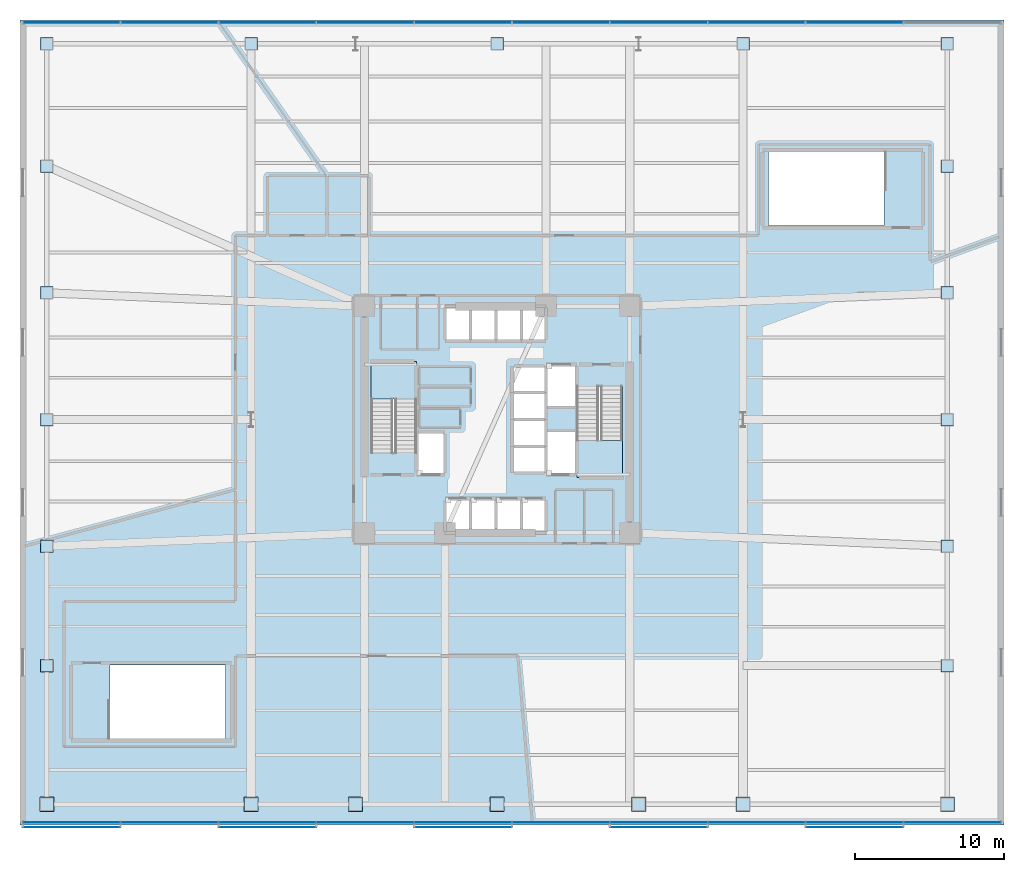
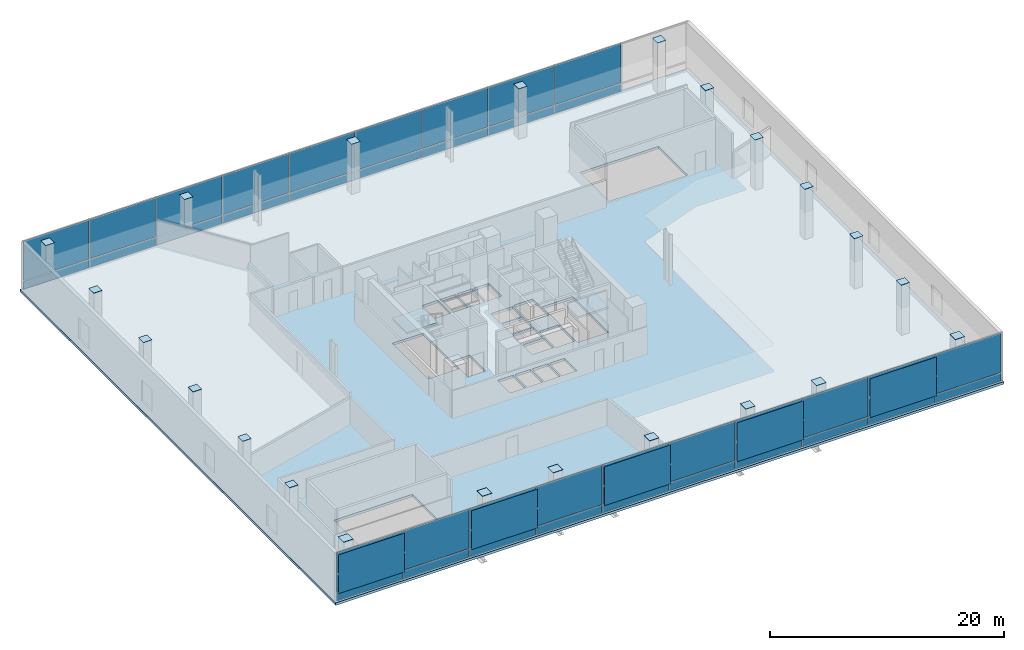
# One storey, part 10 of 19: 65 plates, 3 slabs, 4 elements without a shape of their own.
"""IFC4 building model written with IfcOpenShell, lengths in metres."""

from ifc_helpers import new_model, si_unit, direction, frame, origin, origin_2d, place, context, subcontext, project, spatial, polyline, rectangle, outline, extrude, material, layer, layer_set, type_object, element, aggregate, save


model = new_model("IFC4")

# Units and contexts
model_context = context("Model", 3, precision=1e-05, world=origin(), true_north=direction((0.0, 1.0)))
body_context = subcontext(model_context, "Body", "Model", "MODEL_VIEW")
ifc_project = project(units=[si_unit("LENGTHUNIT", "METRE"), si_unit("AREAUNIT", "SQUARE_METRE"), si_unit("VOLUMEUNIT", "CUBIC_METRE"), si_unit("PLANEANGLEUNIT", "RADIAN"), si_unit("MASSUNIT", "GRAM", prefix="KILO")], contexts=[model_context])

# Site, building, storey
site_placement = place(None, origin())
site = spatial("IfcSite", under=ifc_project, at=site_placement, CompositionType="ELEMENT")
building_placement = place(site_placement, origin())
building = spatial("IfcBuilding", under=site, at=building_placement, Name="Tharavind Bronze Gate", CompositionType="ELEMENT")
storey_placement = place(building_placement, frame((0.0, 0.0, 26.5)))
storey = spatial("IfcBuildingStorey", under=building, at=storey_placement, Name="L05", CompositionType="ELEMENT", Elevation=26.5)

# Plates
ifc_material_1 = material(Name="Perforated Bronze Alloy", Category="bronze")
ifc_layer_1 = layer(ifc_material_1, 0.011962890625)
ifc_layer_set_1 = layer_set([ifc_layer_1], Name="Perforated Bronze Alloy")
plate_type_1 = type_object("IfcPlateType", Name="BRONZE PERFORATED SOLAR SCREEN", PredefinedType="USERDEFINED", material=ifc_layer_set_1)
for number, where, z_axis, x_axis, name in (
    (1, (-28.5380859375, -27.3349609375, 0.97412109375), (0.0, 0.0, 1.0), (1.0, 0.0, 0.0), "CW-L05-S1 perforated bronze solar screen 1"),
    (2, (-15.409912109375, -27.3349609375, 0.97412109375), (0.0, 0.0, 1.0), (1.0, 0.0, 0.0), "CW-L05-S1 perforated bronze solar screen 3"),
    (3, (-2.281982421875, -27.3349609375, 0.97412109375), (0.0, 0.0, 1.0), (1.0, 0.0, 0.0), "CW-L05-S1 perforated bronze solar screen 5"),
    (4, (10.845947265625, -27.3349609375, 0.97412109375), (0.0, 0.0, 1.0), (1.0, 0.0, 0.0), "CW-L05-S1 perforated bronze solar screen 7"),
    (5, (23.97412109375, -27.3349609375, 0.97412109375), (0.0, 0.0, 1.0), (1.0, 0.0, 0.0), "CW-L05-S1 perforated bronze solar screen 9"),
):
    element("IfcPlate", number, at=place(storey_placement, frame(where, z_axis=z_axis, x_axis=x_axis)), inside=storey, type_object=plate_type_1, Name=name, ObjectType="SCREEN", PredefinedType="USERDEFINED", context=body_context, shape_type="SweptSolid", body=[
        extrude(rectangle(XDim=6.5439453125, YDim=0.011962890625, at=origin_2d()), origin(), (0.0, 0.0, 1.0), 4.056884765625),
    ])

# Curtain wall, plates
ifc_material_2 = material(Name="Anodised Bronze Aluminium", Category="aluminium")
ifc_layer_2 = layer(ifc_material_2, 0.219970703125)
ifc_layer_set_2 = layer_set([ifc_layer_2], Name="Anodised Bronze Aluminium")
curtain_wall_type = type_object("IfcCurtainWallType", Name="UNITISED CURTAIN WALL PODIUM", PredefinedType="USERDEFINED", material=ifc_layer_set_2)
curtain_wall_1_placement = place(storey_placement, origin())
curtain_wall_1 = element("IfcCurtainWall", 6, at=curtain_wall_1_placement, inside=storey, type_object=curtain_wall_type, Name="L05 unitised curtain wall podium CW-L05-S1", ObjectType="UNITISED CURTAIN WALL", PredefinedType="USERDEFINED")
ifc_material_3 = material(Name="Patinated Bronze Alloy Sheet", Category="bronze")
ifc_layer_3 = layer(ifc_material_3, 0.01611328125)
ifc_layer_set_3 = layer_set([ifc_layer_3], Name="Patinated Bronze Alloy Sheet")
plate_type_2 = type_object("IfcPlateType", Name="BRONZE SPANDREL CLADDING PANEL 16", PredefinedType="CURTAIN_PANEL", material=ifc_layer_set_3)
plate_1_placement = place(storey_placement, frame((-28.5380859375, -27.02001953125, 0.033935546875), z_axis=(0.0, 0.0, 1.0), x_axis=(1.0, 0.0, 0.0)))
plate_1 = element("IfcPlate", 7, at=plate_1_placement, type_object=plate_type_2, Name="CW-L05-S1 bronze spandrel panel 1", PredefinedType="CURTAIN_PANEL", context=body_context, shape_type="SweptSolid", body=[
    extrude(rectangle(XDim=6.49609375, YDim=0.01611328125, at=origin_2d()), origin(), (0.0, 0.0, 1.0), 0.83203125),
])
plate_2_placement = place(storey_placement, frame((-21.97412109375, -27.02001953125, 0.033935546875), z_axis=(0.0, 0.0, 1.0), x_axis=(1.0, 0.0, 0.0)))
plate_2 = element("IfcPlate", 8, at=plate_2_placement, type_object=plate_type_2, Name="CW-L05-S1 bronze spandrel panel 2", PredefinedType="CURTAIN_PANEL", context=body_context, shape_type="SweptSolid", body=[
    extrude(rectangle(XDim=6.49609375, YDim=0.01611328125, at=origin_2d()), origin(), (0.0, 0.0, 1.0), 0.83203125),
])
plate_3_placement = place(storey_placement, frame((-15.409912109375, -27.02001953125, 0.033935546875), z_axis=(0.0, 0.0, 1.0), x_axis=(1.0, 0.0, 0.0)))
plate_3 = element("IfcPlate", 9, at=plate_3_placement, type_object=plate_type_2, Name="CW-L05-S1 bronze spandrel panel 3", PredefinedType="CURTAIN_PANEL", context=body_context, shape_type="SweptSolid", body=[
    extrude(rectangle(XDim=6.49609375, YDim=0.01611328125, at=origin_2d()), origin(), (0.0, 0.0, 1.0), 0.83203125),
])
plate_4_placement = place(storey_placement, frame((-8.845947265625, -27.02001953125, 0.033935546875), z_axis=(0.0, 0.0, 1.0), x_axis=(1.0, 0.0, 0.0)))
plate_4 = element("IfcPlate", 10, at=plate_4_placement, type_object=plate_type_2, Name="CW-L05-S1 bronze spandrel panel 4", PredefinedType="CURTAIN_PANEL", context=body_context, shape_type="SweptSolid", body=[
    extrude(rectangle(XDim=6.49609375, YDim=0.01611328125, at=origin_2d()), origin(), (0.0, 0.0, 1.0), 0.83203125),
])
plate_5_placement = place(storey_placement, frame((-2.281982421875, -27.02001953125, 0.033935546875), z_axis=(0.0, 0.0, 1.0), x_axis=(1.0, 0.0, 0.0)))
plate_5 = element("IfcPlate", 11, at=plate_5_placement, type_object=plate_type_2, Name="CW-L05-S1 bronze spandrel panel 5", PredefinedType="CURTAIN_PANEL", context=body_context, shape_type="SweptSolid", body=[
    extrude(rectangle(XDim=6.49609375, YDim=0.01611328125, at=origin_2d()), origin(), (0.0, 0.0, 1.0), 0.83203125),
])
plate_6_placement = place(storey_placement, frame((4.281982421875, -27.02001953125, 0.033935546875), z_axis=(0.0, 0.0, 1.0), x_axis=(1.0, 0.0, 0.0)))
plate_6 = element("IfcPlate", 12, at=plate_6_placement, type_object=plate_type_2, Name="CW-L05-S1 bronze spandrel panel 6", PredefinedType="CURTAIN_PANEL", context=body_context, shape_type="SweptSolid", body=[
    extrude(rectangle(XDim=6.49609375, YDim=0.01611328125, at=origin_2d()), origin(), (0.0, 0.0, 1.0), 0.83203125),
])
plate_7_placement = place(storey_placement, frame((10.845947265625, -27.02001953125, 0.033935546875), z_axis=(0.0, 0.0, 1.0), x_axis=(1.0, 0.0, 0.0)))
plate_7 = element("IfcPlate", 13, at=plate_7_placement, type_object=plate_type_2, Name="CW-L05-S1 bronze spandrel panel 7", PredefinedType="CURTAIN_PANEL", context=body_context, shape_type="SweptSolid", body=[
    extrude(rectangle(XDim=6.49609375, YDim=0.01611328125, at=origin_2d()), origin(), (0.0, 0.0, 1.0), 0.83203125),
])
plate_8_placement = place(storey_placement, frame((17.409912109375, -27.02001953125, 0.033935546875), z_axis=(0.0, 0.0, 1.0), x_axis=(1.0, 0.0, 0.0)))
plate_8 = element("IfcPlate", 14, at=plate_8_placement, type_object=plate_type_2, Name="CW-L05-S1 bronze spandrel panel 8", PredefinedType="CURTAIN_PANEL", context=body_context, shape_type="SweptSolid", body=[
    extrude(rectangle(XDim=6.49609375, YDim=0.01611328125, at=origin_2d()), origin(), (0.0, 0.0, 1.0), 0.83203125),
])
plate_9_placement = place(storey_placement, frame((23.97412109375, -27.02001953125, 0.033935546875), z_axis=(0.0, 0.0, 1.0), x_axis=(1.0, 0.0, 0.0)))
plate_9 = element("IfcPlate", 15, at=plate_9_placement, type_object=plate_type_2, Name="CW-L05-S1 bronze spandrel panel 9", PredefinedType="CURTAIN_PANEL", context=body_context, shape_type="SweptSolid", body=[
    extrude(rectangle(XDim=6.49609375, YDim=0.01611328125, at=origin_2d()), origin(), (0.0, 0.0, 1.0), 0.83203125),
])
plate_10_placement = place(storey_placement, frame((30.5380859375, -27.02001953125, 0.033935546875), z_axis=(0.0, 0.0, 1.0), x_axis=(1.0, 0.0, 0.0)))
plate_10 = element("IfcPlate", 16, at=plate_10_placement, type_object=plate_type_2, Name="CW-L05-S1 bronze spandrel panel 10", PredefinedType="CURTAIN_PANEL", context=body_context, shape_type="SweptSolid", body=[
    extrude(rectangle(XDim=6.49609375, YDim=0.01611328125, at=origin_2d()), origin(), (0.0, 0.0, 1.0), 0.83203125),
])

curtain_wall_2_placement = place(storey_placement, origin())
curtain_wall_2 = element("IfcCurtainWall", 17, at=curtain_wall_2_placement, inside=storey, type_object=curtain_wall_type, Name="L05 unitised curtain wall podium CW-L05-S2", ObjectType="UNITISED CURTAIN WALL", PredefinedType="USERDEFINED")
plate_11_placement = place(storey_placement, frame((23.97412109375, 26.6201171875, 0.033935546875), z_axis=(0.0, 0.0, 1.0), x_axis=(-1.0, 0.0, 0.0)))
plate_11 = element("IfcPlate", 18, at=plate_11_placement, type_object=plate_type_2, Name="CW-L05-S2 bronze spandrel panel 2", PredefinedType="CURTAIN_PANEL", context=body_context, shape_type="SweptSolid", body=[
    extrude(rectangle(XDim=6.49609375, YDim=0.01611328125, at=origin_2d()), origin(), (0.0, 0.0, 1.0), 0.83203125),
])
plate_12_placement = place(storey_placement, frame((17.409912109375, 26.6201171875, 0.033935546875), z_axis=(0.0, 0.0, 1.0), x_axis=(-1.0, 0.0, 0.0)))
plate_12 = element("IfcPlate", 19, at=plate_12_placement, type_object=plate_type_2, Name="CW-L05-S2 bronze spandrel panel 3", PredefinedType="CURTAIN_PANEL", context=body_context, shape_type="SweptSolid", body=[
    extrude(rectangle(XDim=6.49609375, YDim=0.01611328125, at=origin_2d()), origin(), (0.0, 0.0, 1.0), 0.83203125),
])
plate_13_placement = place(storey_placement, frame((10.845947265625, 26.6201171875, 0.033935546875), z_axis=(0.0, 0.0, 1.0), x_axis=(-1.0, 0.0, 0.0)))
plate_13 = element("IfcPlate", 20, at=plate_13_placement, type_object=plate_type_2, Name="CW-L05-S2 bronze spandrel panel 4", PredefinedType="CURTAIN_PANEL", context=body_context, shape_type="SweptSolid", body=[
    extrude(rectangle(XDim=6.49609375, YDim=0.01611328125, at=origin_2d()), origin(), (0.0, 0.0, 1.0), 0.83203125),
])
plate_14_placement = place(storey_placement, frame((4.281982421875, 26.6201171875, 0.033935546875), z_axis=(0.0, 0.0, 1.0), x_axis=(-1.0, 0.0, 0.0)))
plate_14 = element("IfcPlate", 21, at=plate_14_placement, type_object=plate_type_2, Name="CW-L05-S2 bronze spandrel panel 5", PredefinedType="CURTAIN_PANEL", context=body_context, shape_type="SweptSolid", body=[
    extrude(rectangle(XDim=6.49609375, YDim=0.01611328125, at=origin_2d()), origin(), (0.0, 0.0, 1.0), 0.83203125),
])
plate_15_placement = place(storey_placement, frame((-2.281982421875, 26.6201171875, 0.033935546875), z_axis=(0.0, 0.0, 1.0), x_axis=(-1.0, 0.0, 0.0)))
plate_15 = element("IfcPlate", 22, at=plate_15_placement, type_object=plate_type_2, Name="CW-L05-S2 bronze spandrel panel 6", PredefinedType="CURTAIN_PANEL", context=body_context, shape_type="SweptSolid", body=[
    extrude(rectangle(XDim=6.49609375, YDim=0.01611328125, at=origin_2d()), origin(), (0.0, 0.0, 1.0), 0.83203125),
])
plate_16_placement = place(storey_placement, frame((-8.845947265625, 26.6201171875, 0.033935546875), z_axis=(0.0, 0.0, 1.0), x_axis=(-1.0, 0.0, 0.0)))
plate_16 = element("IfcPlate", 23, at=plate_16_placement, type_object=plate_type_2, Name="CW-L05-S2 bronze spandrel panel 7", PredefinedType="CURTAIN_PANEL", context=body_context, shape_type="SweptSolid", body=[
    extrude(rectangle(XDim=6.49609375, YDim=0.01611328125, at=origin_2d()), origin(), (0.0, 0.0, 1.0), 0.83203125),
])
plate_17_placement = place(storey_placement, frame((-15.409912109375, 26.6201171875, 0.033935546875), z_axis=(0.0, 0.0, 1.0), x_axis=(-1.0, 0.0, 0.0)))
plate_17 = element("IfcPlate", 24, at=plate_17_placement, type_object=plate_type_2, Name="CW-L05-S2 bronze spandrel panel 8", PredefinedType="CURTAIN_PANEL", context=body_context, shape_type="SweptSolid", body=[
    extrude(rectangle(XDim=6.49609375, YDim=0.01611328125, at=origin_2d()), origin(), (0.0, 0.0, 1.0), 0.83203125),
])
plate_18_placement = place(storey_placement, frame((-21.97412109375, 26.6201171875, 0.033935546875), z_axis=(0.0, 0.0, 1.0), x_axis=(-1.0, 0.0, 0.0)))
plate_18 = element("IfcPlate", 25, at=plate_18_placement, type_object=plate_type_2, Name="CW-L05-S2 bronze spandrel panel 9", PredefinedType="CURTAIN_PANEL", context=body_context, shape_type="SweptSolid", body=[
    extrude(rectangle(XDim=6.49609375, YDim=0.01611328125, at=origin_2d()), origin(), (0.0, 0.0, 1.0), 0.83203125),
])
plate_19_placement = place(storey_placement, frame((-28.5380859375, 26.6201171875, 0.033935546875), z_axis=(0.0, 0.0, 1.0), x_axis=(-1.0, 0.0, 0.0)))
plate_19 = element("IfcPlate", 26, at=plate_19_placement, type_object=plate_type_2, Name="CW-L05-S2 bronze spandrel panel 10", PredefinedType="CURTAIN_PANEL", context=body_context, shape_type="SweptSolid", body=[
    extrude(rectangle(XDim=6.49609375, YDim=0.01611328125, at=origin_2d()), origin(), (0.0, 0.0, 1.0), 0.83203125),
])

# Plate
ifc_material_4 = material(Name="Low-E Double Glazing", Category="glass")
ifc_layer_4 = layer(ifc_material_4, 0.031982421875)
ifc_layer_set_4 = layer_set([ifc_layer_4], Name="Low-E Double Glazing")
plate_type_3 = type_object("IfcPlateType", Name="DOUBLE GLAZED FACADE PANEL 32", PredefinedType="CURTAIN_PANEL", material=ifc_layer_set_4)
plate_20_placement = place(storey_placement, frame((-28.5380859375, -27.02001953125, 0.93408203125), z_axis=(0.0, 0.0, 1.0), x_axis=(1.0, 0.0, 0.0)))
plate_20 = element("IfcPlate", 27, at=plate_20_placement, type_object=plate_type_3, Name="CW-L05-S1 vision glazing panel 1", PredefinedType="CURTAIN_PANEL", context=body_context, shape_type="SweptSolid", body=[
    extrude(rectangle(XDim=6.49609375, YDim=0.031982421875, at=origin_2d()), origin(), (0.0, 0.0, 1.0), 4.136962890625),
])

plate_21_placement = place(storey_placement, frame((-21.97412109375, -27.02001953125, 0.93408203125), z_axis=(0.0, 0.0, 1.0), x_axis=(1.0, 0.0, 0.0)))
plate_21 = element("IfcPlate", 28, at=plate_21_placement, type_object=plate_type_3, Name="CW-L05-S1 vision glazing panel 2", PredefinedType="CURTAIN_PANEL", context=body_context, shape_type="SweptSolid", body=[
    extrude(rectangle(XDim=6.49609375, YDim=0.031982421875, at=origin_2d()), origin(), (0.0, 0.0, 1.0), 4.136962890625),
])

plate_22_placement = place(storey_placement, frame((-15.409912109375, -27.02001953125, 0.93408203125), z_axis=(0.0, 0.0, 1.0), x_axis=(1.0, 0.0, 0.0)))
plate_22 = element("IfcPlate", 29, at=plate_22_placement, type_object=plate_type_3, Name="CW-L05-S1 vision glazing panel 3", PredefinedType="CURTAIN_PANEL", context=body_context, shape_type="SweptSolid", body=[
    extrude(rectangle(XDim=6.49609375, YDim=0.031982421875, at=origin_2d()), origin(), (0.0, 0.0, 1.0), 4.136962890625),
])

plate_23_placement = place(storey_placement, frame((-8.845947265625, -27.02001953125, 0.93408203125), z_axis=(0.0, 0.0, 1.0), x_axis=(1.0, 0.0, 0.0)))
plate_23 = element("IfcPlate", 30, at=plate_23_placement, type_object=plate_type_3, Name="CW-L05-S1 vision glazing panel 4", PredefinedType="CURTAIN_PANEL", context=body_context, shape_type="SweptSolid", body=[
    extrude(rectangle(XDim=6.49609375, YDim=0.031982421875, at=origin_2d()), origin(), (0.0, 0.0, 1.0), 4.136962890625),
])

plate_24_placement = place(storey_placement, frame((-2.281982421875, -27.02001953125, 0.93408203125), z_axis=(0.0, 0.0, 1.0), x_axis=(1.0, 0.0, 0.0)))
plate_24 = element("IfcPlate", 31, at=plate_24_placement, type_object=plate_type_3, Name="CW-L05-S1 vision glazing panel 5", PredefinedType="CURTAIN_PANEL", context=body_context, shape_type="SweptSolid", body=[
    extrude(rectangle(XDim=6.49609375, YDim=0.031982421875, at=origin_2d()), origin(), (0.0, 0.0, 1.0), 4.136962890625),
])

plate_25_placement = place(storey_placement, frame((4.281982421875, -27.02001953125, 0.93408203125), z_axis=(0.0, 0.0, 1.0), x_axis=(1.0, 0.0, 0.0)))
plate_25 = element("IfcPlate", 32, at=plate_25_placement, type_object=plate_type_3, Name="CW-L05-S1 vision glazing panel 6", PredefinedType="CURTAIN_PANEL", context=body_context, shape_type="SweptSolid", body=[
    extrude(rectangle(XDim=6.49609375, YDim=0.031982421875, at=origin_2d()), origin(), (0.0, 0.0, 1.0), 4.136962890625),
])

plate_26_placement = place(storey_placement, frame((10.845947265625, -27.02001953125, 0.93408203125), z_axis=(0.0, 0.0, 1.0), x_axis=(1.0, 0.0, 0.0)))
plate_26 = element("IfcPlate", 33, at=plate_26_placement, type_object=plate_type_3, Name="CW-L05-S1 vision glazing panel 7", PredefinedType="CURTAIN_PANEL", context=body_context, shape_type="SweptSolid", body=[
    extrude(rectangle(XDim=6.49609375, YDim=0.031982421875, at=origin_2d()), origin(), (0.0, 0.0, 1.0), 4.136962890625),
])

plate_27_placement = place(storey_placement, frame((17.409912109375, -27.02001953125, 0.93408203125), z_axis=(0.0, 0.0, 1.0), x_axis=(1.0, 0.0, 0.0)))
plate_27 = element("IfcPlate", 34, at=plate_27_placement, type_object=plate_type_3, Name="CW-L05-S1 vision glazing panel 8", PredefinedType="CURTAIN_PANEL", context=body_context, shape_type="SweptSolid", body=[
    extrude(rectangle(XDim=6.49609375, YDim=0.031982421875, at=origin_2d()), origin(), (0.0, 0.0, 1.0), 4.136962890625),
])

plate_28_placement = place(storey_placement, frame((23.97412109375, -27.02001953125, 0.93408203125), z_axis=(0.0, 0.0, 1.0), x_axis=(1.0, 0.0, 0.0)))
plate_28 = element("IfcPlate", 35, at=plate_28_placement, type_object=plate_type_3, Name="CW-L05-S1 vision glazing panel 9", PredefinedType="CURTAIN_PANEL", context=body_context, shape_type="SweptSolid", body=[
    extrude(rectangle(XDim=6.49609375, YDim=0.031982421875, at=origin_2d()), origin(), (0.0, 0.0, 1.0), 4.136962890625),
])

plate_29_placement = place(storey_placement, frame((30.5380859375, -27.02001953125, 0.93408203125), z_axis=(0.0, 0.0, 1.0), x_axis=(1.0, 0.0, 0.0)))
plate_29 = element("IfcPlate", 36, at=plate_29_placement, type_object=plate_type_3, Name="CW-L05-S1 vision glazing panel 10", PredefinedType="CURTAIN_PANEL", context=body_context, shape_type="SweptSolid", body=[
    extrude(rectangle(XDim=6.49609375, YDim=0.031982421875, at=origin_2d()), origin(), (0.0, 0.0, 1.0), 4.136962890625),
])

aggregate(curtain_wall_1, [plate_1, plate_20, plate_2, plate_21, plate_3, plate_22, plate_4, plate_23, plate_5, plate_24, plate_6, plate_25, plate_7, plate_26, plate_8, plate_27, plate_9, plate_28, plate_10, plate_29])

plate_30_placement = place(storey_placement, frame((23.97412109375, 26.6201171875, 0.93408203125), z_axis=(0.0, 0.0, 1.0), x_axis=(-1.0, 0.0, 0.0)))
plate_30 = element("IfcPlate", 37, at=plate_30_placement, type_object=plate_type_3, Name="CW-L05-S2 vision glazing panel 2", PredefinedType="CURTAIN_PANEL", context=body_context, shape_type="SweptSolid", body=[
    extrude(rectangle(XDim=6.49609375, YDim=0.031982421875, at=origin_2d()), origin(), (0.0, 0.0, 1.0), 4.136962890625),
])

plate_31_placement = place(storey_placement, frame((17.409912109375, 26.6201171875, 0.93408203125), z_axis=(0.0, 0.0, 1.0), x_axis=(-1.0, 0.0, 0.0)))
plate_31 = element("IfcPlate", 38, at=plate_31_placement, type_object=plate_type_3, Name="CW-L05-S2 vision glazing panel 3", PredefinedType="CURTAIN_PANEL", context=body_context, shape_type="SweptSolid", body=[
    extrude(rectangle(XDim=6.49609375, YDim=0.031982421875, at=origin_2d()), origin(), (0.0, 0.0, 1.0), 4.136962890625),
])

plate_32_placement = place(storey_placement, frame((10.845947265625, 26.6201171875, 0.93408203125), z_axis=(0.0, 0.0, 1.0), x_axis=(-1.0, 0.0, 0.0)))
plate_32 = element("IfcPlate", 39, at=plate_32_placement, type_object=plate_type_3, Name="CW-L05-S2 vision glazing panel 4", PredefinedType="CURTAIN_PANEL", context=body_context, shape_type="SweptSolid", body=[
    extrude(rectangle(XDim=6.49609375, YDim=0.031982421875, at=origin_2d()), origin(), (0.0, 0.0, 1.0), 4.136962890625),
])

plate_33_placement = place(storey_placement, frame((4.281982421875, 26.6201171875, 0.93408203125), z_axis=(0.0, 0.0, 1.0), x_axis=(-1.0, 0.0, 0.0)))
plate_33 = element("IfcPlate", 40, at=plate_33_placement, type_object=plate_type_3, Name="CW-L05-S2 vision glazing panel 5", PredefinedType="CURTAIN_PANEL", context=body_context, shape_type="SweptSolid", body=[
    extrude(rectangle(XDim=6.49609375, YDim=0.031982421875, at=origin_2d()), origin(), (0.0, 0.0, 1.0), 4.136962890625),
])

plate_34_placement = place(storey_placement, frame((-2.281982421875, 26.6201171875, 0.93408203125), z_axis=(0.0, 0.0, 1.0), x_axis=(-1.0, 0.0, 0.0)))
plate_34 = element("IfcPlate", 41, at=plate_34_placement, type_object=plate_type_3, Name="CW-L05-S2 vision glazing panel 6", PredefinedType="CURTAIN_PANEL", context=body_context, shape_type="SweptSolid", body=[
    extrude(rectangle(XDim=6.49609375, YDim=0.031982421875, at=origin_2d()), origin(), (0.0, 0.0, 1.0), 4.136962890625),
])

plate_35_placement = place(storey_placement, frame((-8.845947265625, 26.6201171875, 0.93408203125), z_axis=(0.0, 0.0, 1.0), x_axis=(-1.0, 0.0, 0.0)))
plate_35 = element("IfcPlate", 42, at=plate_35_placement, type_object=plate_type_3, Name="CW-L05-S2 vision glazing panel 7", PredefinedType="CURTAIN_PANEL", context=body_context, shape_type="SweptSolid", body=[
    extrude(rectangle(XDim=6.49609375, YDim=0.031982421875, at=origin_2d()), origin(), (0.0, 0.0, 1.0), 4.136962890625),
])

plate_36_placement = place(storey_placement, frame((-15.409912109375, 26.6201171875, 0.93408203125), z_axis=(0.0, 0.0, 1.0), x_axis=(-1.0, 0.0, 0.0)))
plate_36 = element("IfcPlate", 43, at=plate_36_placement, type_object=plate_type_3, Name="CW-L05-S2 vision glazing panel 8", PredefinedType="CURTAIN_PANEL", context=body_context, shape_type="SweptSolid", body=[
    extrude(rectangle(XDim=6.49609375, YDim=0.031982421875, at=origin_2d()), origin(), (0.0, 0.0, 1.0), 4.136962890625),
])

plate_37_placement = place(storey_placement, frame((-21.97412109375, 26.6201171875, 0.93408203125), z_axis=(0.0, 0.0, 1.0), x_axis=(-1.0, 0.0, 0.0)))
plate_37 = element("IfcPlate", 44, at=plate_37_placement, type_object=plate_type_3, Name="CW-L05-S2 vision glazing panel 9", PredefinedType="CURTAIN_PANEL", context=body_context, shape_type="SweptSolid", body=[
    extrude(rectangle(XDim=6.49609375, YDim=0.031982421875, at=origin_2d()), origin(), (0.0, 0.0, 1.0), 4.136962890625),
])

plate_38_placement = place(storey_placement, frame((-28.5380859375, 26.6201171875, 0.93408203125), z_axis=(0.0, 0.0, 1.0), x_axis=(-1.0, 0.0, 0.0)))
plate_38 = element("IfcPlate", 45, at=plate_38_placement, type_object=plate_type_3, Name="CW-L05-S2 vision glazing panel 10", PredefinedType="CURTAIN_PANEL", context=body_context, shape_type="SweptSolid", body=[
    extrude(rectangle(XDim=6.49609375, YDim=0.031982421875, at=origin_2d()), origin(), (0.0, 0.0, 1.0), 4.136962890625),
])

aggregate(curtain_wall_2, [plate_11, plate_30, plate_12, plate_31, plate_13, plate_32, plate_14, plate_33, plate_15, plate_34, plate_16, plate_35, plate_17, plate_36, plate_18, plate_37, plate_19, plate_38])

# Stair, slab
ifc_material_5 = material(Name="Concrete C40/50", Category="concrete")
stair_type = type_object("IfcStairType", Name="CORE HALF TURN STAIR 1450", PredefinedType="HALF_TURN_STAIR", material=ifc_material_5)
stair_1_placement = place(storey_placement, origin())
stair_1 = element("IfcStair", 46, at=stair_1_placement, inside=storey, type_object=stair_type, Name="L05 Protected Exit Stair ST1", PredefinedType="HALF_TURN_STAIR")
ifc_layer_5 = layer(ifc_material_5, 0.199951171875)
ifc_layer_set_5 = layer_set([ifc_layer_5], Name="Concrete C40/50")
slab_type_1 = type_object("IfcSlabType", Name="STAIR LANDING SLAB 200", PredefinedType="LANDING", material=ifc_layer_set_5)
slab_1_placement = place(storey_placement, frame((0.0, 0.0, 2.449951171875)))
slab_1 = element("IfcSlab", 47, at=slab_1_placement, type_object=slab_type_1, Name="ST1 landing 1", PredefinedType="LANDING", context=body_context, shape_type="SweptSolid", body=[
    extrude(outline(polyline([(-5.39990234375, 1.389892578125), (-5.39990234375, 3.89990234375), (-8.449951171875, 3.89990234375), (-8.449951171875, 1.389892578125), (-5.39990234375, 1.389892578125)])), origin(), (0.0, 0.0, 1.0), 0.199951171875),
])
aggregate(stair_1, [slab_1])

stair_2_placement = place(storey_placement, origin())
stair_2 = element("IfcStair", 48, at=stair_2_placement, inside=storey, type_object=stair_type, Name="L05 Protected Exit Stair ST2", PredefinedType="HALF_TURN_STAIR")
slab_2_placement = place(storey_placement, frame((0.0, 0.0, 2.449951171875)))
slab_2 = element("IfcSlab", 49, at=slab_2_placement, type_object=slab_type_1, Name="ST2 landing 1", PredefinedType="LANDING", context=body_context, shape_type="SweptSolid", body=[
    extrude(outline(polyline([(5.35009765625, -1.389892578125), (5.35009765625, -3.89990234375), (8.39990234375, -3.89990234375), (8.39990234375, -1.389892578125), (5.35009765625, -1.389892578125)])), origin(), (0.0, 0.0, 1.0), 0.199951171875),
])
aggregate(stair_2, [slab_2])

# Plates
ifc_material_6 = material(Name="Steel S460", Category="steel")
ifc_layer_6 = layer(ifc_material_6, 0.02490234375)
ifc_layer_set_6 = layer_set([ifc_layer_6], Name="Steel S460")
plate_type_4 = type_object("IfcPlateType", Name="STEEL END CAP SHEET 25", PredefinedType="SHEET", material=ifc_layer_set_6)
plate_39_placement = place(storey_placement, frame((-30.199951171875, -25.800048828125, 5.28759765625), z_axis=(0.0, 0.0, 1.0), x_axis=(1.0, 0.0, 0.0)))
element("IfcPlate", 50, at=plate_39_placement, inside=storey, type_object=plate_type_4, Name="Steel end cap plate CAP-COL-L05-PS10", PredefinedType="SHEET", context=body_context, shape_type="SweptSolid", body=[
    extrude(rectangle(XDim=0.945068359375, YDim=0.945068359375, at=origin_2d()), origin(), (0.0, 0.0, 1.0), 0.02490234375),
])
plate_40_placement = place(storey_placement, frame((-30.199951171875, 25.199951171875, 5.28759765625), z_axis=(0.0, 0.0, 1.0), x_axis=(1.0, 0.0, 0.0)))
element("IfcPlate", 51, at=plate_40_placement, inside=storey, type_object=plate_type_4, Name="Steel end cap plate CAP-COL-L05-PN10", PredefinedType="SHEET", context=body_context, shape_type="SweptSolid", body=[
    extrude(rectangle(XDim=0.844970703125, YDim=0.844970703125, at=origin_2d()), origin(), (0.0, 0.0, 1.0), 0.02490234375),
])
plate_41_placement = place(storey_placement, frame((-16.5, -25.800048828125, 5.28759765625), z_axis=(0.0, 0.0, 1.0), x_axis=(1.0, 0.0, 0.0)))
element("IfcPlate", 52, at=plate_41_placement, inside=storey, type_object=plate_type_4, Name="Steel end cap plate CAP-COL-L05-PS24", PredefinedType="SHEET", context=body_context, shape_type="SweptSolid", body=[
    extrude(rectangle(XDim=0.945068359375, YDim=0.945068359375, at=origin_2d()), origin(), (0.0, 0.0, 1.0), 0.02490234375),
])
plate_42_placement = place(storey_placement, frame((-16.5, 25.199951171875, 5.28759765625), z_axis=(0.0, 0.0, 1.0), x_axis=(1.0, 0.0, 0.0)))
element("IfcPlate", 53, at=plate_42_placement, inside=storey, type_object=plate_type_4, Name="Steel end cap plate CAP-COL-L05-PN24", PredefinedType="SHEET", context=body_context, shape_type="SweptSolid", body=[
    extrude(rectangle(XDim=0.844970703125, YDim=0.844970703125, at=origin_2d()), origin(), (0.0, 0.0, 1.0), 0.02490234375),
])
for number, where, z_axis, x_axis, name in (
    (54, (-9.5, -25.800048828125, 5.28759765625), (0.0, 0.0, 1.0), (1.0, 0.0, 0.0), "Steel end cap plate CAP-COL-L05-PS30"),
    (55, (0.0, -25.800048828125, 5.28759765625), (0.0, 0.0, 1.0), (1.0, 0.0, 0.0), "Steel end cap plate CAP-COL-L05-PS40"),
):
    element("IfcPlate", number, at=place(storey_placement, frame(where, z_axis=z_axis, x_axis=x_axis)), inside=storey, type_object=plate_type_4, Name=name, PredefinedType="SHEET", context=body_context, shape_type="SweptSolid", body=[
        extrude(rectangle(XDim=0.945068359375, YDim=0.945068359375, at=origin_2d()), origin(), (0.0, 0.0, 1.0), 0.02490234375),
    ])
plate_43_placement = place(storey_placement, frame((0.0, 25.199951171875, 5.28759765625), z_axis=(0.0, 0.0, 1.0), x_axis=(1.0, 0.0, 0.0)))
element("IfcPlate", 56, at=plate_43_placement, inside=storey, type_object=plate_type_4, Name="Steel end cap plate CAP-COL-L05-PN40", PredefinedType="SHEET", context=body_context, shape_type="SweptSolid", body=[
    extrude(rectangle(XDim=0.844970703125, YDim=0.844970703125, at=origin_2d()), origin(), (0.0, 0.0, 1.0), 0.02490234375),
])
for number, where, z_axis, x_axis, name in (
    (57, (9.5, -25.800048828125, 5.28759765625), (0.0, 0.0, 1.0), (1.0, 0.0, 0.0), "Steel end cap plate CAP-COL-L05-PS50"),
    (58, (16.5, -25.800048828125, 5.28759765625), (0.0, 0.0, 1.0), (1.0, 0.0, 0.0), "Steel end cap plate CAP-COL-L05-PS56"),
):
    element("IfcPlate", number, at=place(storey_placement, frame(where, z_axis=z_axis, x_axis=x_axis)), inside=storey, type_object=plate_type_4, Name=name, PredefinedType="SHEET", context=body_context, shape_type="SweptSolid", body=[
        extrude(rectangle(XDim=0.945068359375, YDim=0.945068359375, at=origin_2d()), origin(), (0.0, 0.0, 1.0), 0.02490234375),
    ])
plate_44_placement = place(storey_placement, frame((16.5, 25.199951171875, 5.28759765625), z_axis=(0.0, 0.0, 1.0), x_axis=(1.0, 0.0, 0.0)))
element("IfcPlate", 59, at=plate_44_placement, inside=storey, type_object=plate_type_4, Name="Steel end cap plate CAP-COL-L05-PN56", PredefinedType="SHEET", context=body_context, shape_type="SweptSolid", body=[
    extrude(rectangle(XDim=0.844970703125, YDim=0.844970703125, at=origin_2d()), origin(), (0.0, 0.0, 1.0), 0.02490234375),
])
plate_45_placement = place(storey_placement, frame((30.199951171875, -25.800048828125, 5.28759765625), z_axis=(0.0, 0.0, 1.0), x_axis=(1.0, 0.0, 0.0)))
element("IfcPlate", 60, at=plate_45_placement, inside=storey, type_object=plate_type_4, Name="Steel end cap plate CAP-COL-L05-PS70", PredefinedType="SHEET", context=body_context, shape_type="SweptSolid", body=[
    extrude(rectangle(XDim=0.945068359375, YDim=0.945068359375, at=origin_2d()), origin(), (0.0, 0.0, 1.0), 0.02490234375),
])
for number, where, z_axis, x_axis, name in (
    (61, (30.199951171875, 25.199951171875, 5.28759765625), (0.0, 0.0, 1.0), (1.0, 0.0, 0.0), "Steel end cap plate CAP-COL-L05-PN70"),
    (62, (-30.199951171875, -16.5, 5.28759765625), (0.0, 0.0, 1.0), (1.0, 0.0, 0.0), "Steel end cap plate CAP-COL-L05-PW14"),
    (63, (30.199951171875, -16.5, 5.28759765625), (0.0, 0.0, 1.0), (1.0, 0.0, 0.0), "Steel end cap plate CAP-COL-L05-PE14"),
    (64, (-30.199951171875, -8.5, 5.28759765625), (0.0, 0.0, 1.0), (1.0, 0.0, 0.0), "Steel end cap plate CAP-COL-L05-PW22"),
    (65, (30.199951171875, -8.5, 5.28759765625), (0.0, 0.0, 1.0), (1.0, 0.0, 0.0), "Steel end cap plate CAP-COL-L05-PE22"),
    (66, (-30.199951171875, 0.0, 5.28759765625), (0.0, 0.0, 1.0), (1.0, 0.0, 0.0), "Steel end cap plate CAP-COL-L05-PW30"),
    (67, (30.199951171875, 0.0, 5.28759765625), (0.0, 0.0, 1.0), (1.0, 0.0, 0.0), "Steel end cap plate CAP-COL-L05-PE30"),
    (68, (-30.199951171875, 8.5, 5.28759765625), (0.0, 0.0, 1.0), (1.0, 0.0, 0.0), "Steel end cap plate CAP-COL-L05-PW38"),
    (69, (30.199951171875, 8.5, 5.28759765625), (0.0, 0.0, 1.0), (1.0, 0.0, 0.0), "Steel end cap plate CAP-COL-L05-PE38"),
    (70, (-30.199951171875, 17.0, 5.28759765625), (0.0, 0.0, 1.0), (1.0, 0.0, 0.0), "Steel end cap plate CAP-COL-L05-PW47"),
    (71, (30.199951171875, 17.0, 5.28759765625), (0.0, 0.0, 1.0), (1.0, 0.0, 0.0), "Steel end cap plate CAP-COL-L05-PE47"),
):
    element("IfcPlate", number, at=place(storey_placement, frame(where, z_axis=z_axis, x_axis=x_axis)), inside=storey, type_object=plate_type_4, Name=name, PredefinedType="SHEET", context=body_context, shape_type="SweptSolid", body=[
        extrude(rectangle(XDim=0.844970703125, YDim=0.844970703125, at=origin_2d()), origin(), (0.0, 0.0, 1.0), 0.02490234375),
    ])

# Slab
ifc_layer_7 = layer(ifc_material_5, 0.260009765625)
ifc_layer_set_7 = layer_set([ifc_layer_7], Name="Concrete C40/50")
slab_type_2 = type_object("IfcSlabType", Name="STRUCTURAL FLOOR SLAB 260", PredefinedType="FLOOR", material=ifc_layer_set_7)
slab_3_placement = place(storey_placement, frame((0.0, 0.0, -0.260009765625)))
element("IfcSlab", 72, at=slab_3_placement, inside=storey, type_object=slab_type_2, Name="L05 main structural floor slab", PredefinedType="FLOOR", context=body_context, shape_type="SweptSolid", body=[
    extrude(outline(polyline([(-32.0, -27.199951171875), (34.0, -27.199951171875), (34.0, 26.800048828125), (-32.0, 26.800048828125), (-32.0, -27.199951171875)]), holes=[polyline([(-5.39990234375, -2.215087890625), (-5.39990234375, 3.89990234375), (-8.449951171875, 3.89990234375), (-8.449951171875, -2.215087890625), (-5.39990234375, -2.215087890625)]), polyline([(5.35009765625, 2.215087890625), (5.35009765625, -3.89990234375), (8.39990234375, -3.89990234375), (8.39990234375, 2.215087890625), (5.35009765625, 2.215087890625)]), polyline([(-25.965087890625, -21.39990234375), (-18.199951171875, -21.39990234375), (-18.199951171875, -16.449951171875), (-25.965087890625, -16.449951171875), (-25.965087890625, -21.39990234375)]), polyline([(25.965087890625, 17.949951171875), (18.199951171875, 17.949951171875), (18.199951171875, 13.0), (25.965087890625, 13.0), (25.965087890625, 17.949951171875)]), polyline([(-3.419921875, -7.52001953125), (-1.867431640625, -7.52001953125), (-1.867431640625, -5.3798828125), (-3.419921875, -5.3798828125), (-3.419921875, -7.52001953125)]), polyline([(-1.70751953125, -7.52001953125), (-0.155029296875, -7.52001953125), (-0.155029296875, -5.3798828125), (-1.70751953125, -5.3798828125), (-1.70751953125, -7.52001953125)]), polyline([(0.0048828125, -7.52001953125), (1.5576171875, -7.52001953125), (1.5576171875, -5.3798828125), (0.0048828125, -5.3798828125), (0.0048828125, -7.52001953125)]), polyline([(1.717529296875, -7.52001953125), (3.199951171875, -7.52001953125), (3.199951171875, -5.3798828125), (1.717529296875, -5.3798828125), (1.717529296875, -7.52001953125)]), polyline([(-3.419921875, 5.330078125), (-1.867431640625, 5.330078125), (-1.867431640625, 7.52001953125), (-3.419921875, 7.52001953125), (-3.419921875, 5.330078125)]), polyline([(-1.70751953125, 5.330078125), (-0.155029296875, 5.330078125), (-0.155029296875, 7.52001953125), (-1.70751953125, 7.52001953125), (-1.70751953125, 5.330078125)]), polyline([(0.0048828125, 5.330078125), (1.5576171875, 5.330078125), (1.5576171875, 7.52001953125), (0.0048828125, 7.52001953125), (0.0048828125, 5.330078125)]), polyline([(1.717529296875, 5.330078125), (3.199951171875, 5.330078125), (3.199951171875, 7.52001953125), (1.717529296875, 7.52001953125), (1.717529296875, 5.330078125)]), polyline([(1.080078125, -3.52001953125), (3.199951171875, -3.52001953125), (3.199951171875, -1.8798828125), (1.080078125, -1.8798828125), (1.080078125, -3.52001953125)]), polyline([(1.080078125, -1.719970703125), (3.199951171875, -1.719970703125), (3.199951171875, -0.080078125), (1.080078125, -0.080078125), (1.080078125, -1.719970703125)]), polyline([(1.080078125, 0.080078125), (3.199951171875, 0.080078125), (3.199951171875, 1.719970703125), (1.080078125, 1.719970703125), (1.080078125, 0.080078125)]), polyline([(1.080078125, 1.8798828125), (3.199951171875, 1.8798828125), (3.199951171875, 3.52001953125), (1.080078125, 3.52001953125), (1.080078125, 1.8798828125)]), polyline([(-5.320068359375, -3.6201171875), (-3.580078125, -3.6201171875), (-3.580078125, -0.929931640625), (-5.320068359375, -0.929931640625), (-5.320068359375, -3.6201171875)]), polyline([(3.360107421875, 0.8798828125), (5.27001953125, 0.8798828125), (5.27001953125, 3.6201171875), (3.360107421875, 3.6201171875), (3.360107421875, 0.8798828125)]), polyline([(3.360107421875, -3.6201171875), (5.27001953125, -3.6201171875), (5.27001953125, -0.830078125), (3.360107421875, -0.830078125), (3.360107421875, -3.6201171875)])]), origin(), (0.0, 0.0, 1.0), 0.260009765625),
])

save(model, "model.ifc")
